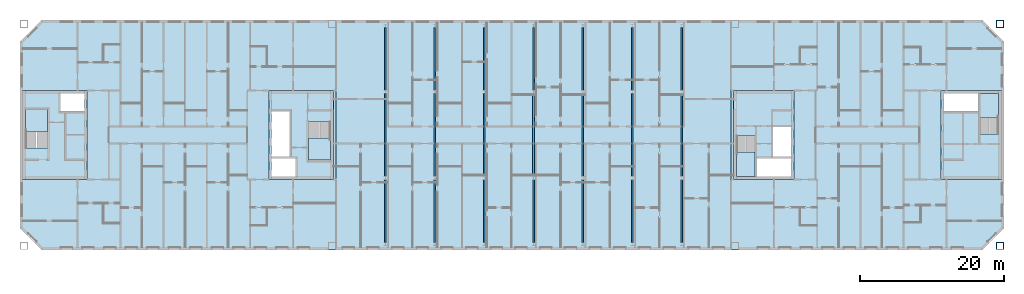
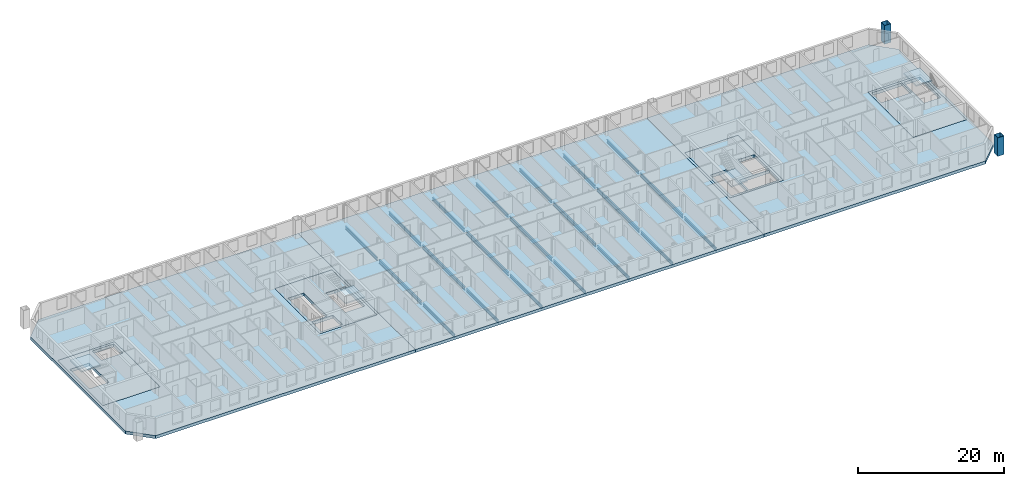
# One storey, part 3 of 19: 21 beams, 11 slabs, 2 columns, 4 elements without a shape of their own.
"""IFC4 building model written with IfcOpenShell, lengths in metres."""

from ifc_helpers import new_model, si_unit, direction, frame, origin, origin_2d, place, context, subcontext, project, spatial, polyline, hollow_rectangle, i_section, outline, extrude, material, layer, layer_set, material_profile, profile_set, type_object, element, aggregate, save


model = new_model("IFC4")

# Units and contexts
model_context = context("Model", 3, precision=1e-05, world=origin(), true_north=direction((0.0, 1.0)))
body_context = subcontext(model_context, "Body", "Model", "MODEL_VIEW")
ifc_project = project(units=[si_unit("LENGTHUNIT", "METRE"), si_unit("AREAUNIT", "SQUARE_METRE"), si_unit("VOLUMEUNIT", "CUBIC_METRE"), si_unit("PLANEANGLEUNIT", "RADIAN"), si_unit("MASSUNIT", "GRAM", prefix="KILO")], contexts=[model_context])

# Site, building, storey
site_placement = place(None, origin())
site = spatial("IfcSite", under=ifc_project, at=site_placement, CompositionType="ELEMENT")
building_placement = place(site_placement, origin())
building = spatial("IfcBuilding", under=site, at=building_placement, Name="Tuart Gate Housing", CompositionType="ELEMENT")
storey_placement = place(building_placement, frame((0.0, 0.0, 202.800048828125)))
storey = spatial("IfcBuildingStorey", under=building, at=storey_placement, Name="L57", CompositionType="ELEMENT", Elevation=202.800048828125)

# Columns
ifc_material_1 = material(Name="Steel Grade 350", Category="steel")
ifc_material_profile_1 = material_profile(ifc_material_1, hollow_rectangle(XDim=1.0, YDim=1.0, WallThickness=0.054931640625, at=origin_2d()), Name="BOX 1000x1000x55")
ifc_profile_set_1 = profile_set([ifc_material_profile_1], Name="Steel Grade 350")
column_type = type_object("IfcColumnType", Name="Mega column BOX 1000x1000x55", PredefinedType="COLUMN", material=ifc_profile_set_1)
for number, where, z_axis, x_axis, name in (
    (1, (168.449951171875, 54.550048828125, 0.0), (0.0, 0.0, 1.0), (1.0, 0.0, 0.0), "Mega column B south-east L57"),
    (2, (168.449951171875, 85.449951171875, 0.0), (0.0, 0.0, 1.0), (1.0, 0.0, 0.0), "Mega column B north-east L57"),
):
    element("IfcColumn", number, at=place(storey_placement, frame(where, z_axis=z_axis, x_axis=x_axis)), inside=storey, type_object=column_type, Name=name, PredefinedType="COLUMN", context=body_context, shape_type="SweptSolid", body=[
        extrude(hollow_rectangle(XDim=1.0, YDim=1.0, WallThickness=0.054931640625, at=origin_2d()), origin(), (0.0, 0.0, 1.0), 3.099853515625),
    ])

# Beams
ifc_material_2 = material(Name="Steel Grade 350", Category="steel")
ifc_material_profile_2 = material_profile(ifc_material_2, i_section(OverallWidth=0.208984375, OverallDepth=0.532958984375, WebThickness=0.01025390625, FlangeThickness=0.015625, at=origin_2d()), Name="530UB92.4")
ifc_profile_set_2 = profile_set([ifc_material_profile_2], Name="Steel Grade 350")
beam_type_1 = type_object("IfcBeamType", Name="Floor beam 530 UB92.4", PredefinedType="BEAM", material=ifc_profile_set_2)
for number, where, z_axis, x_axis, name in (
    (3, (82.875, 55.014892578125, -0.76611328125), (0.0, 1.0, 0.0), (-1.0, 0.0, 0.0), "Block floor beam L57 bay 1 position 1"),
    (4, (82.875, 76.215087890625, -0.76611328125), (0.0, 1.0, 0.0), (-1.0, 0.0, 0.0), "Block floor beam L57 bay 1 position 3"),
    (5, (89.75, 55.014892578125, -0.76611328125), (0.0, 1.0, 0.0), (-1.0, 0.0, 0.0), "Block floor beam L57 bay 2 position 1"),
    (6, (89.75, 76.215087890625, -0.76611328125), (0.0, 1.0, 0.0), (-1.0, 0.0, 0.0), "Block floor beam L57 bay 2 position 3"),
    (7, (96.625, 55.014892578125, -0.76611328125), (0.0, 1.0, 0.0), (-1.0, 0.0, 0.0), "Block floor beam L57 bay 3 position 1"),
    (8, (96.625, 76.215087890625, -0.76611328125), (0.0, 1.0, 0.0), (-1.0, 0.0, 0.0), "Block floor beam L57 bay 3 position 3"),
    (9, (103.5, 55.014892578125, -0.76611328125), (0.0, 1.0, 0.0), (-1.0, 0.0, 0.0), "Block floor beam L57 bay 4 position 1"),
    (10, (103.5, 76.215087890625, -0.76611328125), (0.0, 1.0, 0.0), (-1.0, 0.0, 0.0), "Block floor beam L57 bay 4 position 3"),
    (11, (110.375, 55.014892578125, -0.76611328125), (0.0, 1.0, 0.0), (-1.0, 0.0, 0.0), "Block floor beam L57 bay 5 position 1"),
    (12, (110.375, 76.215087890625, -0.76611328125), (0.0, 1.0, 0.0), (-1.0, 0.0, 0.0), "Block floor beam L57 bay 5 position 3"),
    (13, (117.25, 55.014892578125, -0.76611328125), (0.0, 1.0, 0.0), (-1.0, 0.0, 0.0), "Block floor beam L57 bay 6 position 1"),
    (14, (117.25, 76.215087890625, -0.76611328125), (0.0, 1.0, 0.0), (-1.0, 0.0, 0.0), "Block floor beam L57 bay 6 position 3"),
    (15, (124.125, 55.014892578125, -0.76611328125), (0.0, 1.0, 0.0), (-1.0, 0.0, 0.0), "Block floor beam L57 bay 7 position 1"),
    (16, (124.125, 76.215087890625, -0.76611328125), (0.0, 1.0, 0.0), (-1.0, 0.0, 0.0), "Block floor beam L57 bay 7 position 3"),
):
    element("IfcBeam", number, at=place(storey_placement, frame(where, z_axis=z_axis, x_axis=x_axis)), inside=storey, type_object=beam_type_1, Name=name, PredefinedType="BEAM", context=body_context, shape_type="SweptSolid", body=[
        extrude(i_section(OverallWidth=0.208984375, OverallDepth=0.532958984375, WebThickness=0.01025390625, FlangeThickness=0.015625, at=origin_2d()), origin(), (0.0, 0.0, 1.0), 8.77001953125),
    ])
ifc_material_3 = material(Name="Steel Grade 350", Category="steel")
ifc_material_profile_3 = material_profile(ifc_material_3, i_section(OverallWidth=0.22900390625, OverallDepth=0.612060546875, WebThickness=0.011962890625, FlangeThickness=0.01953125, at=origin_2d()), Name="610UB125")
ifc_profile_set_3 = profile_set([ifc_material_profile_3], Name="Steel Grade 350")
beam_type_2 = type_object("IfcBeamType", Name="Floor beam 610 UB125", PredefinedType="BEAM", material=ifc_profile_set_3)
for number, where, z_axis, x_axis, name in (
    (17, (82.875, 64.215087890625, -0.80615234375), (0.0, 1.0, 0.0), (-1.0, 0.0, 0.0), "Block floor beam L57 bay 1 position 2"),
    (18, (89.75, 64.215087890625, -0.80615234375), (0.0, 1.0, 0.0), (-1.0, 0.0, 0.0), "Block floor beam L57 bay 2 position 2"),
    (19, (96.625, 64.215087890625, -0.80615234375), (0.0, 1.0, 0.0), (-1.0, 0.0, 0.0), "Block floor beam L57 bay 3 position 2"),
    (20, (103.5, 64.215087890625, -0.80615234375), (0.0, 1.0, 0.0), (-1.0, 0.0, 0.0), "Block floor beam L57 bay 4 position 2"),
    (21, (110.375, 64.215087890625, -0.80615234375), (0.0, 1.0, 0.0), (-1.0, 0.0, 0.0), "Block floor beam L57 bay 5 position 2"),
    (22, (117.25, 64.215087890625, -0.80615234375), (0.0, 1.0, 0.0), (-1.0, 0.0, 0.0), "Block floor beam L57 bay 6 position 2"),
    (23, (124.125, 64.215087890625, -0.80615234375), (0.0, 1.0, 0.0), (-1.0, 0.0, 0.0), "Block floor beam L57 bay 7 position 2"),
):
    element("IfcBeam", number, at=place(storey_placement, frame(where, z_axis=z_axis, x_axis=x_axis)), inside=storey, type_object=beam_type_2, Name=name, PredefinedType="BEAM", context=body_context, shape_type="SweptSolid", body=[
        extrude(i_section(OverallWidth=0.22900390625, OverallDepth=0.612060546875, WebThickness=0.011962890625, FlangeThickness=0.01953125, at=origin_2d()), origin(), (0.0, 0.0, 1.0), 11.56982421875),
    ])

# Slabs
ifc_material_4 = material(Name="Concrete C40", Category="concrete")
ifc_layer_1 = layer(ifc_material_4, 0.5)
ifc_layer_set_1 = layer_set([ifc_layer_1], Name="Core floor slab 500")
slab_type_1 = type_object("IfcSlabType", Name="Core floor slab 500", PredefinedType="FLOOR", material=ifc_layer_set_1)
slab_1_placement = place(storey_placement, frame((0.0, 0.0, -0.5)))
element("IfcSlab", 24, at=slab_1_placement, inside=storey, type_object=slab_type_1, Name="Core floor AG", PredefinedType="FLOOR", context=body_context, shape_type="SweptSolid", body=[
    extrude(outline(polyline([(66.639892578125, 63.800048828125), (75.639892578125, 63.800048828125), (75.639892578125, 76.199951171875), (66.639892578125, 76.199951171875), (66.639892578125, 63.800048828125)]), holes=[polyline([(67.0400390625, 64.199951171875), (70.385009765625, 64.199951171875), (70.385009765625, 66.72509765625), (67.0400390625, 66.72509765625), (67.0400390625, 64.199951171875)]), polyline([(67.0400390625, 66.97509765625), (69.56494140625, 66.97509765625), (69.56494140625, 73.324951171875), (67.0400390625, 73.324951171875), (67.0400390625, 66.97509765625)]), polyline([(72.1650390625, 66.47509765625), (75.239990234375, 66.47509765625), (75.239990234375, 71.804931640625), (72.1650390625, 71.804931640625), (72.1650390625, 66.47509765625)])]), origin(), (0.0, 0.0, 1.0), 0.5),
])
slab_2_placement = place(storey_placement, frame((0.0, 0.0, -0.5)))
element("IfcSlab", 25, at=slab_2_placement, inside=storey, type_object=slab_type_1, Name="Core floor AK", PredefinedType="FLOOR", context=body_context, shape_type="SweptSolid", body=[
    extrude(outline(polyline([(32.360107421875, 63.800048828125), (41.360107421875, 63.800048828125), (41.360107421875, 76.199951171875), (32.360107421875, 76.199951171875), (32.360107421875, 63.800048828125)]), holes=[polyline([(40.9599609375, 75.800048828125), (37.614990234375, 75.800048828125), (37.614990234375, 73.27490234375), (40.9599609375, 73.27490234375), (40.9599609375, 75.800048828125)]), polyline([(35.8349609375, 73.52490234375), (32.760009765625, 73.52490234375), (32.760009765625, 68.195068359375), (35.8349609375, 68.195068359375), (35.8349609375, 73.52490234375)])]), origin(), (0.0, 0.0, 1.0), 0.5),
])
slab_3_placement = place(storey_placement, frame((0.0, 0.0, -0.5)))
element("IfcSlab", 26, at=slab_3_placement, inside=storey, type_object=slab_type_1, Name="Core floor BG", PredefinedType="FLOOR", context=body_context, shape_type="SweptSolid", body=[
    extrude(outline(polyline([(131.360107421875, 63.800048828125), (139.760009765625, 63.800048828125), (139.760009765625, 76.199951171875), (131.360107421875, 76.199951171875), (131.360107421875, 63.800048828125)]), holes=[polyline([(139.360107421875, 66.85009765625), (134.5849609375, 66.85009765625), (134.5849609375, 64.199951171875), (139.360107421875, 64.199951171875), (139.360107421875, 66.85009765625)]), polyline([(139.360107421875, 71.125), (136.8349609375, 71.125), (136.8349609375, 66.97509765625), (139.360107421875, 66.97509765625), (139.360107421875, 71.125)]), polyline([(134.3349609375, 69.85498046875), (131.760009765625, 69.85498046875), (131.760009765625, 64.199951171875), (134.3349609375, 64.199951171875), (134.3349609375, 69.85498046875)])]), origin(), (0.0, 0.0, 1.0), 0.5),
])
slab_4_placement = place(storey_placement, frame((0.0, 0.0, -0.5)))
element("IfcSlab", 27, at=slab_4_placement, inside=storey, type_object=slab_type_1, Name="Core floor BK", PredefinedType="FLOOR", context=body_context, shape_type="SweptSolid", body=[
    extrude(outline(polyline([(160.239990234375, 63.800048828125), (168.639892578125, 63.800048828125), (168.639892578125, 76.199951171875), (160.239990234375, 76.199951171875), (160.239990234375, 63.800048828125)]), holes=[polyline([(160.639892578125, 73.14990234375), (165.4150390625, 73.14990234375), (165.4150390625, 75.800048828125), (160.639892578125, 75.800048828125), (160.639892578125, 73.14990234375)]), polyline([(165.6650390625, 70.14501953125), (168.239990234375, 70.14501953125), (168.239990234375, 75.800048828125), (165.6650390625, 75.800048828125), (165.6650390625, 70.14501953125)])]), origin(), (0.0, 0.0, 1.0), 0.5),
])

# Stair, slab
ifc_material_5 = material(Name="Concrete C40", Category="concrete")
stair_type_1 = type_object("IfcStairType", Name="Core stair 1500", PredefinedType="HALF_TURN_STAIR", material=ifc_material_5)
stair_1_placement = place(storey_placement, origin())
stair_1 = element("IfcStair", 28, at=stair_1_placement, inside=storey, type_object=stair_type_1, Name="Stair SA1", PredefinedType="HALF_TURN_STAIR")
ifc_material_6 = material(Name="Concrete C40", Category="concrete")
ifc_layer_2 = layer(ifc_material_6, 0.199951171875)
ifc_layer_set_2 = layer_set([ifc_layer_2], Name="Stair landing 200")
slab_type_2 = type_object("IfcSlabType", Name="Stair landing 200", PredefinedType="LANDING", material=ifc_layer_set_2)
slab_5_placement = place(storey_placement, frame((0.0, 0.0, 1.349853515625)))
slab_5 = element("IfcSlab", 29, at=slab_5_placement, type_object=slab_type_2, Name="SA1 landing 1", PredefinedType="LANDING", context=body_context, shape_type="SweptSolid", body=[
    extrude(outline(polyline([(72.1650390625, 66.47509765625), (75.239990234375, 66.47509765625), (75.239990234375, 69.5849609375), (72.1650390625, 69.5849609375), (72.1650390625, 66.47509765625)])), origin(), (0.0, 0.0, 1.0), 0.2001953125),
])
aggregate(stair_1, [slab_5])

stair_2_placement = place(storey_placement, origin())
stair_2 = element("IfcStair", 30, at=stair_2_placement, inside=storey, type_object=stair_type_1, Name="Stair SA2", PredefinedType="HALF_TURN_STAIR")
slab_6_placement = place(storey_placement, frame((0.0, 0.0, 1.349853515625)))
slab_6 = element("IfcSlab", 31, at=slab_6_placement, type_object=slab_type_2, Name="SA2 landing 1", PredefinedType="LANDING", context=body_context, shape_type="SweptSolid", body=[
    extrude(outline(polyline([(35.8349609375, 73.52490234375), (32.760009765625, 73.52490234375), (32.760009765625, 70.4150390625), (35.8349609375, 70.4150390625), (35.8349609375, 73.52490234375)])), origin(), (0.0, 0.0, 1.0), 0.2001953125),
])
aggregate(stair_2, [slab_6])

ifc_material_7 = material(Name="Concrete C40", Category="concrete")
stair_type_2 = type_object("IfcStairType", Name="Core stair 1250", PredefinedType="HALF_TURN_STAIR", material=ifc_material_7)
stair_3_placement = place(storey_placement, origin())
stair_3 = element("IfcStair", 32, at=stair_3_placement, inside=storey, type_object=stair_type_2, Name="Stair SB1", PredefinedType="HALF_TURN_STAIR")
slab_7_placement = place(storey_placement, frame((0.0, 0.0, 1.349853515625)))
slab_7 = element("IfcSlab", 33, at=slab_7_placement, type_object=slab_type_2, Name="SB1 landing 1", PredefinedType="LANDING", context=body_context, shape_type="SweptSolid", body=[
    extrude(outline(polyline([(134.3349609375, 67.635009765625), (131.760009765625, 67.635009765625), (131.760009765625, 64.199951171875), (134.3349609375, 64.199951171875), (134.3349609375, 67.635009765625)])), origin(), (0.0, 0.0, 1.0), 0.2001953125),
])
aggregate(stair_3, [slab_7])

stair_4_placement = place(storey_placement, origin())
stair_4 = element("IfcStair", 34, at=stair_4_placement, inside=storey, type_object=stair_type_2, Name="Stair SB2", PredefinedType="HALF_TURN_STAIR")
slab_8_placement = place(storey_placement, frame((0.0, 0.0, 1.349853515625)))
slab_8 = element("IfcSlab", 35, at=slab_8_placement, type_object=slab_type_2, Name="SB2 landing 1", PredefinedType="LANDING", context=body_context, shape_type="SweptSolid", body=[
    extrude(outline(polyline([(165.6650390625, 72.364990234375), (168.239990234375, 72.364990234375), (168.239990234375, 75.800048828125), (165.6650390625, 75.800048828125), (165.6650390625, 72.364990234375)])), origin(), (0.0, 0.0, 1.0), 0.2001953125),
])
aggregate(stair_4, [slab_8])

# Slabs
ifc_material_8 = material(Name="Concrete C40", Category="concrete")
ifc_layer_3 = layer(ifc_material_8, 0.5)
ifc_layer_set_3 = layer_set([ifc_layer_3], Name="Transfer plate 500")
slab_type_3 = type_object("IfcSlabType", Name="Transfer plate 500", PredefinedType="FLOOR", material=ifc_layer_set_3)
slab_9_placement = place(storey_placement, frame((0.0, 0.0, -0.5)))
element("IfcSlab", 36, at=slab_9_placement, inside=storey, type_object=slab_type_3, Name="Floor slab A L57", PredefinedType="FLOOR", context=body_context, shape_type="SweptSolid", body=[
    extrude(outline(polyline([(35.0, 86.0), (32.0, 83.0), (32.0, 57.0), (35.0, 54.0), (76.0, 54.0), (76.0, 86.0), (35.0, 86.0)]), holes=[polyline([(66.639892578125, 76.199951171875), (75.639892578125, 76.199951171875), (75.639892578125, 63.800048828125), (66.639892578125, 63.800048828125), (66.639892578125, 76.199951171875)]), polyline([(41.360107421875, 76.199951171875), (41.360107421875, 63.800048828125), (32.360107421875, 63.800048828125), (32.360107421875, 76.199951171875), (41.360107421875, 76.199951171875)])]), origin(), (0.0, 0.0, 1.0), 0.5),
])
slab_10_placement = place(storey_placement, frame((0.0, 0.0, -0.5)))
element("IfcSlab", 37, at=slab_10_placement, inside=storey, type_object=slab_type_3, Name="Floor slab B L57", PredefinedType="FLOOR", context=body_context, shape_type="SweptSolid", body=[
    extrude(outline(polyline([(166.0, 86.0), (131.0, 86.0), (131.0, 54.0), (166.0, 54.0), (169.0, 57.0), (169.0, 83.0), (166.0, 86.0)]), holes=[polyline([(131.360107421875, 76.199951171875), (139.760009765625, 76.199951171875), (139.760009765625, 63.800048828125), (131.360107421875, 63.800048828125), (131.360107421875, 76.199951171875)]), polyline([(168.639892578125, 76.199951171875), (168.639892578125, 63.800048828125), (160.239990234375, 63.800048828125), (160.239990234375, 76.199951171875), (168.639892578125, 76.199951171875)])]), origin(), (0.0, 0.0, 1.0), 0.5),
])
slab_11_placement = place(storey_placement, frame((0.0, 0.0, -0.5)))
element("IfcSlab", 38, at=slab_11_placement, inside=storey, type_object=slab_type_3, Name="Link floor slab L57", PredefinedType="FLOOR", context=body_context, shape_type="SweptSolid", body=[
    extrude(outline(polyline([(76.0, 54.0), (131.0, 54.0), (131.0, 86.0), (76.0, 86.0), (76.0, 54.0)])), origin(), (0.0, 0.0, 1.0), 0.5),
])

save(model, "model.ifc")
